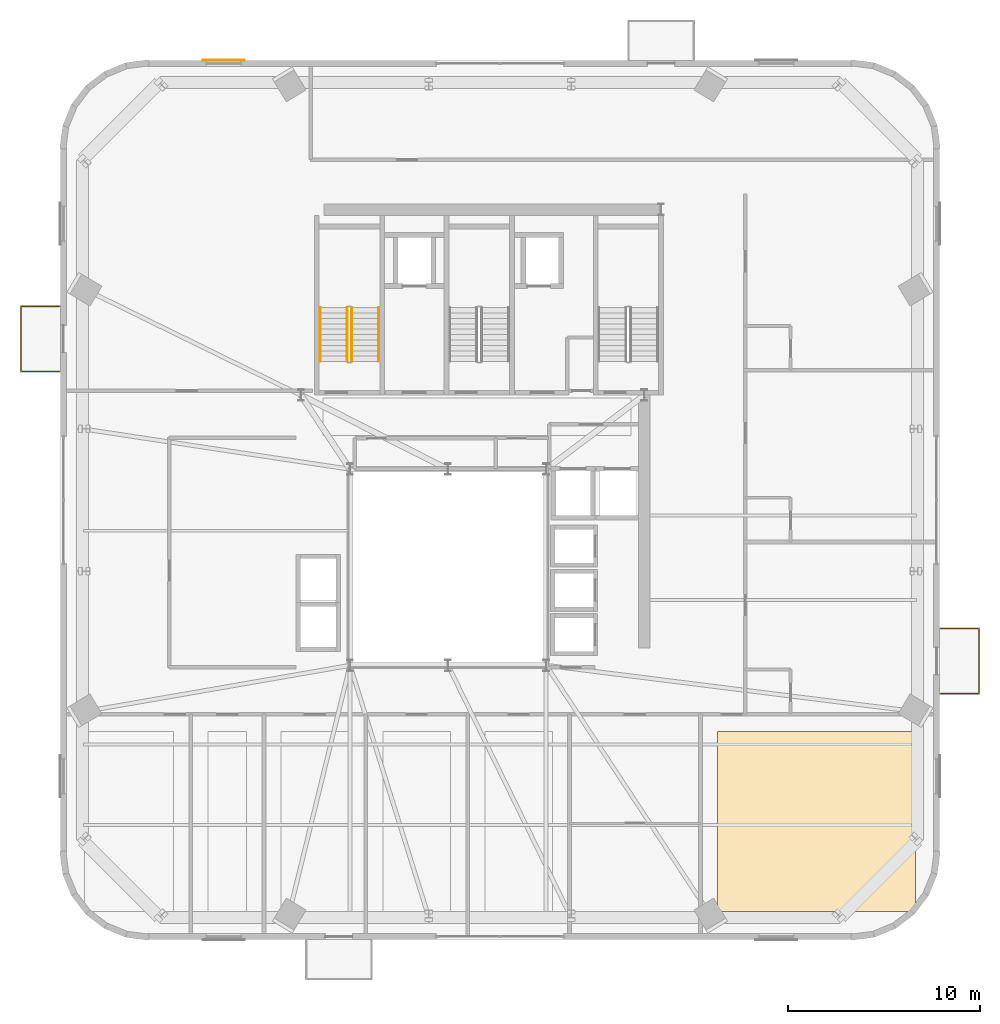
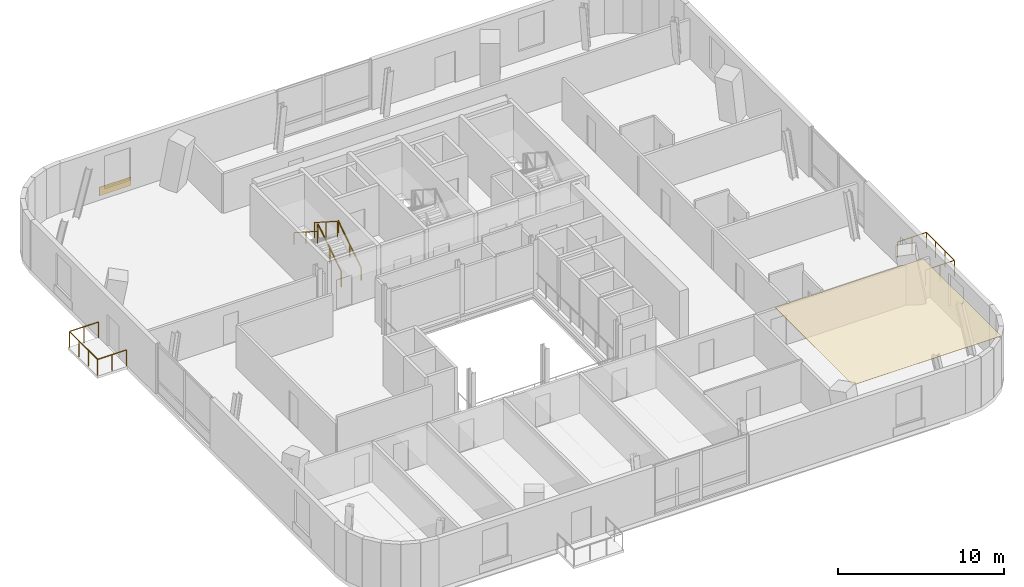
# One storey, part 14 of 15: 6 railings, 2 coverings.
"""IFC4 building model written with IfcOpenShell, lengths in metres."""

from ifc_helpers import new_model, si_unit, direction, frame, origin, origin_2d, place, context, subcontext, project, spatial, polyline, rectangle, outline, extrude, source, transform, mapped, material, layer, layer_set, type_object, element, save


model = new_model("IFC4")

# Units and contexts
model_context = context("Model", 3, precision=1e-05, world=origin(), true_north=direction((0.0, 1.0)))
body_context = subcontext(model_context, "Body", "Model", "MODEL_VIEW")
ifc_project = project(units=[si_unit("LENGTHUNIT", "METRE"), si_unit("AREAUNIT", "SQUARE_METRE"), si_unit("VOLUMEUNIT", "CUBIC_METRE"), si_unit("PLANEANGLEUNIT", "RADIAN"), si_unit("MASSUNIT", "GRAM", prefix="KILO")], contexts=[model_context])

# Site, building, storey
site_placement = place(None, origin())
site = spatial("IfcSite", under=ifc_project, at=site_placement, CompositionType="ELEMENT")
building_placement = place(site_placement, origin())
building = spatial("IfcBuilding", under=site, at=building_placement, Name="Vardaveli Station Tower", CompositionType="ELEMENT")
storey_placement = place(building_placement, frame((0.0, 0.0, 258.5)))
storey = spatial("IfcBuildingStorey", under=building, at=storey_placement, Name="L66", CompositionType="ELEMENT", Elevation=258.5)

# Coverings
ifc_material_1 = material(Name="Perforated acoustic mineral ceiling")
ifc_layer_1 = layer(ifc_material_1, 0.02001953125, Name="Perforated acoustic mineral ceiling")
ifc_layer_set_1 = layer_set([ifc_layer_1], Name="Perforated acoustic mineral ceiling")
covering_type_1 = type_object("IfcCoveringType", Name="COV-CEIL-AC20", PredefinedType="CEILING", material=ifc_layer_set_1)
covering_1_placement = place(storey_placement, frame((0.0, 0.0, 3.635009765625)))
element("IfcCovering", 1, at=covering_1_placement, inside=storey, type_object=covering_type_1, Name="CEIL-L66-6", PredefinedType="CEILING", context=body_context, shape_type="SweptSolid", body=[
    extrude(outline(polyline([(50.320068359375, 3.7900390625), (60.610107421875, 3.7900390625), (60.610107421875, 13.169921875), (50.320068359375, 13.169921875), (50.320068359375, 3.7900390625)])), origin(), (0.0, 0.0, 1.0), 0.02001953125),
])
ifc_material_2 = material(Name="Ventilated honed travertine stone cladding", Category="masonry")
ifc_layer_2 = layer(ifc_material_2, 0.044921875, Name="Ventilated honed travertine stone cladding")
ifc_layer_set_2 = layer_set([ifc_layer_2], Name="Ventilated honed travertine stone cladding")
covering_type_2 = type_object("IfcCoveringType", Name="COV-CLAD-TR45", PredefinedType="CLADDING", material=ifc_layer_set_2)
shared_shape_1 = source(origin(), body_context, "Body", "SweptSolid", [
    extrude(rectangle(XDim=2.199951171875, YDim=0.044921875, at=origin_2d()), origin(), (0.0, 0.0, 1.0), 0.6201171875),
])
covering_2_placement = place(storey_placement, frame((24.636962890625, 48.074462890625, 0.06982421875), z_axis=(0.0, 0.0, 1.0), x_axis=(1.0, 0.0, 0.0)))
element("IfcCovering", 2, at=covering_2_placement, inside=storey, type_object=covering_type_2, Name="CLD-TR-L66-N", PredefinedType="CLADDING", context=body_context, shape_type="MappedRepresentation", body=[
    mapped(shared_shape_1, transform((0.0, 0.0, 0.0), scale=1.0)),
])

# Railings
ifc_material_3 = material(Name="Laminated glass and stainless steel balustrade", Category="steel")
railing_type_1 = type_object("IfcRailingType", Name="RL-BAL-1200", PredefinedType="BALUSTRADE", material=ifc_material_3)
shared_shape_2 = source(origin(), body_context, "Body", "SweptSolid", [
    extrude(rectangle(XDim=0.048095703125, YDim=0.048095703125, at=origin_2d()), frame((0.0, 0.0, 1.17578125), z_axis=(-1.0, 0.0, 0.0), x_axis=(0.0, -1.0, 0.0)), (0.0, 0.0, 1.0), 2.0),
    extrude(rectangle(XDim=0.048095703125, YDim=0.048095703125, at=origin_2d()), frame((-2.0, 0.0, 1.17578125), z_axis=(0.0, 1.0, 0.0), x_axis=(-1.0, 0.0, 0.0)), (0.0, 0.0, 1.0), 3.380126953125),
    extrude(rectangle(XDim=0.048095703125, YDim=0.048095703125, at=origin_2d()), frame((-2.0, 3.380126953125, 1.17578125), z_axis=(1.0, 0.0, 0.0), x_axis=(0.0, 1.0, 0.0)), (0.0, 0.0, 1.0), 2.0),
    extrude(rectangle(XDim=0.0419921875, YDim=0.0419921875, at=origin_2d()), origin(), (0.0, 0.0, 1.0), 1.15185546875),
    extrude(rectangle(XDim=0.0419921875, YDim=0.0419921875, at=origin_2d()), frame((-1.0, 0.0, 0.0)), (0.0, 0.0, 1.0), 1.15185546875),
    extrude(rectangle(XDim=0.0419921875, YDim=0.0419921875, at=origin_2d()), frame((-2.0, 0.0, 0.0)), (0.0, 0.0, 1.0), 1.15185546875),
    extrude(rectangle(XDim=0.0419921875, YDim=0.0419921875, at=origin_2d()), frame((-2.0, 1.126708984375, 0.0)), (0.0, 0.0, 1.0), 1.15185546875),
    extrude(rectangle(XDim=0.0419921875, YDim=0.0419921875, at=origin_2d()), frame((-2.0, 2.25341796875, 0.0)), (0.0, 0.0, 1.0), 1.15185546875),
    extrude(rectangle(XDim=0.0419921875, YDim=0.0419921875, at=origin_2d()), frame((-2.0, 3.380126953125, 0.0)), (0.0, 0.0, 1.0), 1.15185546875),
    extrude(rectangle(XDim=0.0419921875, YDim=0.0419921875, at=origin_2d()), frame((-1.0, 3.380126953125, 0.0)), (0.0, 0.0, 1.0), 1.15185546875),
    extrude(rectangle(XDim=0.0419921875, YDim=0.0419921875, at=origin_2d()), frame((0.0, 3.380126953125, 0.0)), (0.0, 0.0, 1.0), 1.15185546875),
])
railing_1_placement = place(storey_placement, frame((16.10009765625, 31.89208984375, 0.0)))
element("IfcRailing", 3, at=railing_1_placement, inside=storey, type_object=railing_type_1, Name="RL-LOG-L66-03", PredefinedType="BALUSTRADE", context=body_context, shape_type="MappedRepresentation", body=[
    mapped(shared_shape_2, transform((0.0, 0.0, 0.0), scale=1.0)),
])
shared_shape_3 = source(origin(), body_context, "Body", "SweptSolid", [
    extrude(rectangle(XDim=0.048095703125, YDim=0.048095703125, at=origin_2d()), frame((0.0, 0.0, 1.17578125), z_axis=(1.0, 0.0, 0.0), x_axis=(0.0, 1.0, 0.0)), (0.0, 0.0, 1.0), 2.0),
    extrude(rectangle(XDim=0.048095703125, YDim=0.048095703125, at=origin_2d()), frame((2.0, 0.0, 1.17578125), z_axis=(0.0, 1.0, 0.0), x_axis=(-1.0, 0.0, 0.0)), (0.0, 0.0, 1.0), 3.380126953125),
    extrude(rectangle(XDim=0.048095703125, YDim=0.048095703125, at=origin_2d()), frame((2.0, 3.380126953125, 1.17578125), z_axis=(-1.0, 0.0, 0.0), x_axis=(0.0, -1.0, 0.0)), (0.0, 0.0, 1.0), 2.0),
    extrude(rectangle(XDim=0.0419921875, YDim=0.0419921875, at=origin_2d()), origin(), (0.0, 0.0, 1.0), 1.15185546875),
    extrude(rectangle(XDim=0.0419921875, YDim=0.0419921875, at=origin_2d()), frame((1.0, 0.0, 0.0)), (0.0, 0.0, 1.0), 1.15185546875),
    extrude(rectangle(XDim=0.0419921875, YDim=0.0419921875, at=origin_2d()), frame((2.0, 0.0, 0.0)), (0.0, 0.0, 1.0), 1.15185546875),
    extrude(rectangle(XDim=0.0419921875, YDim=0.0419921875, at=origin_2d()), frame((2.0, 1.126708984375, 0.0)), (0.0, 0.0, 1.0), 1.15185546875),
    extrude(rectangle(XDim=0.0419921875, YDim=0.0419921875, at=origin_2d()), frame((2.0, 2.25341796875, 0.0)), (0.0, 0.0, 1.0), 1.15185546875),
    extrude(rectangle(XDim=0.0419921875, YDim=0.0419921875, at=origin_2d()), frame((2.0, 3.380126953125, 0.0)), (0.0, 0.0, 1.0), 1.15185546875),
    extrude(rectangle(XDim=0.0419921875, YDim=0.0419921875, at=origin_2d()), frame((1.0, 3.380126953125, 0.0)), (0.0, 0.0, 1.0), 1.15185546875),
    extrude(rectangle(XDim=0.0419921875, YDim=0.0419921875, at=origin_2d()), frame((0.0, 3.380126953125, 0.0)), (0.0, 0.0, 1.0), 1.15185546875),
])
railing_2_placement = place(storey_placement, frame((61.89990234375, 15.127685546875, 0.0)))
element("IfcRailing", 4, at=railing_2_placement, inside=storey, type_object=railing_type_1, Name="RL-LOG-L66-04", PredefinedType="BALUSTRADE", context=body_context, shape_type="MappedRepresentation", body=[
    mapped(shared_shape_3, transform((0.0, 0.0, 0.0), scale=1.0)),
])
ifc_material_4 = material(Name="Brushed AISI 316 stainless steel", Category="steel")
railing_type_2 = type_object("IfcRailingType", Name="RL-GUARD-1150", PredefinedType="GUARDRAIL", material=ifc_material_4)
shared_shape_4 = source(origin(), body_context, "Body", "SweptSolid", [
    extrude(rectangle(XDim=0.048095703125, YDim=0.048095703125, at=origin_2d()), frame((0.0, 0.0, 1.1259765625), z_axis=(0.0, -0.841809871826, 0.539774156196), x_axis=(1.0, 0.0, 0.0)), (0.0, 0.0, 1.0), 3.326171875),
    extrude(rectangle(XDim=0.0419921875, YDim=0.0419921875, at=origin_2d()), origin(), (0.0, 0.0, 1.0), 1.101806640625),
    extrude(rectangle(XDim=0.0419921875, YDim=0.0419921875, at=origin_2d()), frame((0.0, -1.39990234375, 0.897705078125)), (0.0, 0.0, 1.0), 1.101806640625),
    extrude(rectangle(XDim=0.0419921875, YDim=0.0419921875, at=origin_2d()), frame((0.0, -2.800048828125, 1.79541015625)), (0.0, 0.0, 1.0), 1.101806640625),
])
railing_3_placement = place(storey_placement, frame((31.050048828125, 35.199951171875, 2.154541015625)))
element("IfcRailing", 5, at=railing_3_placement, inside=storey, type_object=railing_type_2, Name="L66 ST-1 stair guard 3", PredefinedType="GUARDRAIL", context=body_context, shape_type="MappedRepresentation", body=[
    mapped(shared_shape_4, transform((0.0, 0.0, 0.0), scale=1.0)),
])
railing_type_3 = type_object("IfcRailingType", Name="RL-HAND-900", PredefinedType="HANDRAIL", material=ifc_material_4)
shared_shape_5 = source(origin(), body_context, "Body", "SweptSolid", [
    extrude(rectangle(XDim=0.048095703125, YDim=0.048095703125, at=origin_2d()), frame((0.0, 0.0, 0.8759765625), z_axis=(0.0, -0.841809871826, 0.539774156196), x_axis=(1.0, 0.0, 0.0)), (0.0, 0.0, 1.0), 3.326171875),
    extrude(rectangle(XDim=0.0419921875, YDim=0.0419921875, at=origin_2d()), origin(), (0.0, 0.0, 1.0), 0.851806640625),
    extrude(rectangle(XDim=0.0419921875, YDim=0.0419921875, at=origin_2d()), frame((0.0, -1.39990234375, 0.897705078125)), (0.0, 0.0, 1.0), 0.851806640625),
    extrude(rectangle(XDim=0.0419921875, YDim=0.0419921875, at=origin_2d()), frame((0.0, -2.800048828125, 1.79541015625)), (0.0, 0.0, 1.0), 0.851806640625),
])
railing_4_placement = place(storey_placement, frame((29.64990234375, 35.199951171875, 2.154541015625)))
element("IfcRailing", 6, at=railing_4_placement, inside=storey, type_object=railing_type_3, Name="L66 ST-1 stair handrail 2", PredefinedType="HANDRAIL", context=body_context, shape_type="MappedRepresentation", body=[
    mapped(shared_shape_5, transform((0.0, 0.0, 0.0), scale=1.0)),
])
shared_shape_6 = source(origin(), body_context, "Body", "SweptSolid", [
    extrude(rectangle(XDim=0.048095703125, YDim=0.048095703125, at=origin_2d()), frame((0.0, 0.0, 1.1259765625), z_axis=(0.0, 0.841776520102, 0.539826166654), x_axis=(-1.0, 0.0, 0.0)), (0.0, 0.0, 1.0), 3.326416015625),
    extrude(rectangle(XDim=0.0419921875, YDim=0.0419921875, at=origin_2d()), origin(), (0.0, 0.0, 1.0), 1.101806640625),
    extrude(rectangle(XDim=0.0419921875, YDim=0.0419921875, at=origin_2d()), frame((0.0, 1.39990234375, 0.89794921875)), (0.0, 0.0, 1.0), 1.101806640625),
    extrude(rectangle(XDim=0.0419921875, YDim=0.0419921875, at=origin_2d()), frame((0.0, 2.800048828125, 1.795654296875)), (0.0, 0.0, 1.0), 1.101806640625),
])
railing_5_placement = place(storey_placement, frame((31.300048828125, 32.39990234375, 0.179443359375)))
element("IfcRailing", 7, at=railing_5_placement, inside=storey, type_object=railing_type_2, Name="L66 ST-1 stair guard 1", PredefinedType="GUARDRAIL", context=body_context, shape_type="MappedRepresentation", body=[
    mapped(shared_shape_6, transform((0.0, 0.0, 0.0), scale=1.0)),
])
shared_shape_7 = source(origin(), body_context, "Body", "SweptSolid", [
    extrude(rectangle(XDim=0.048095703125, YDim=0.048095703125, at=origin_2d()), frame((0.0, 0.0, 0.8759765625), z_axis=(0.0, 0.841776520102, 0.539826166654), x_axis=(-1.0, 0.0, 0.0)), (0.0, 0.0, 1.0), 3.326416015625),
    extrude(rectangle(XDim=0.0419921875, YDim=0.0419921875, at=origin_2d()), origin(), (0.0, 0.0, 1.0), 0.851806640625),
    extrude(rectangle(XDim=0.0419921875, YDim=0.0419921875, at=origin_2d()), frame((0.0, 1.39990234375, 0.89794921875)), (0.0, 0.0, 1.0), 0.851806640625),
    extrude(rectangle(XDim=0.0419921875, YDim=0.0419921875, at=origin_2d()), frame((0.0, 2.800048828125, 1.795654296875)), (0.0, 0.0, 1.0), 0.851806640625),
])
railing_6_placement = place(storey_placement, frame((32.699951171875, 32.39990234375, 0.179443359375)))
element("IfcRailing", 8, at=railing_6_placement, inside=storey, type_object=railing_type_3, Name="L66 ST-1 stair handrail 1", PredefinedType="HANDRAIL", context=body_context, shape_type="MappedRepresentation", body=[
    mapped(shared_shape_7, transform((0.0, 0.0, 0.0), scale=1.0)),
])

save(model, "model.ifc")
